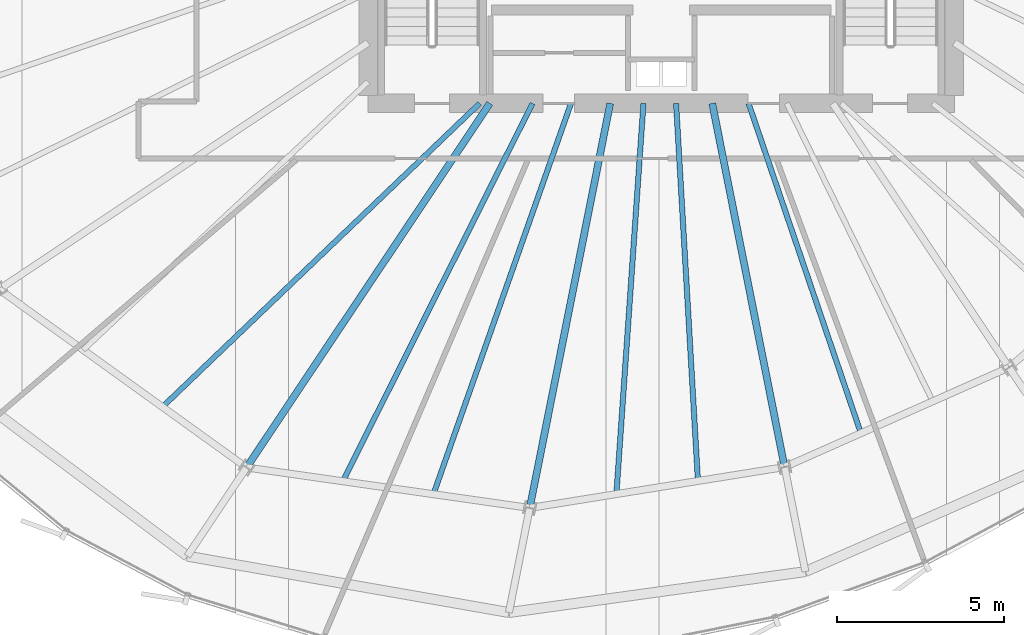
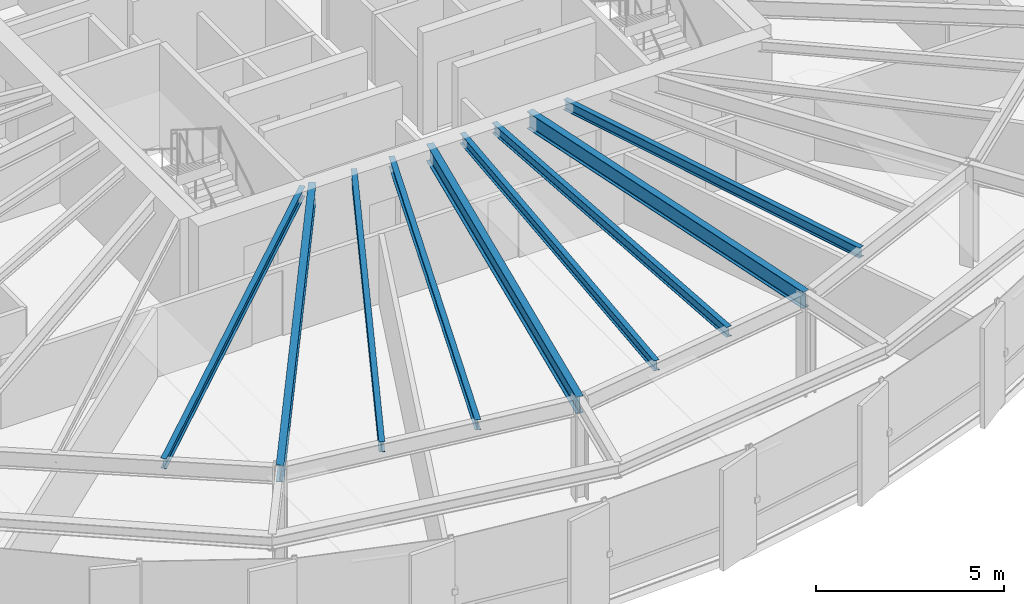
# One storey, part 8 of 36: 9 beams.
"""IFC4 building model written with IfcOpenShell, lengths in metres."""

from ifc_helpers import new_model, si_unit, direction, frame, origin, origin_2d, place, context, subcontext, project, spatial, i_section, extrude, source, transform, mapped, material, material_profile, profile_set, type_object, element, save


model = new_model("IFC4")

# Units and contexts
model_context = context("Model", 3, precision=1e-05, world=origin(), true_north=direction((0.0, 1.0)))
body_context = subcontext(model_context, "Body", "Model", "MODEL_VIEW")
ifc_project = project(units=[si_unit("LENGTHUNIT", "METRE"), si_unit("AREAUNIT", "SQUARE_METRE"), si_unit("VOLUMEUNIT", "CUBIC_METRE"), si_unit("PLANEANGLEUNIT", "RADIAN"), si_unit("MASSUNIT", "GRAM", prefix="KILO"), si_unit("THERMODYNAMICTEMPERATUREUNIT", "KELVIN")], contexts=[model_context])

# Site, building, storey
site_placement = place(None, origin())
site = spatial("IfcSite", under=ifc_project, at=site_placement, CompositionType="ELEMENT")
building_placement = place(site_placement, origin())
building = spatial("IfcBuilding", under=site, at=building_placement, Name="Kethvar Cultural Tower", CompositionType="ELEMENT")
storey_placement = place(building_placement, frame((0.0, 0.0, 164.300048828125)))
storey = spatial("IfcBuildingStorey", under=building, at=storey_placement, Name="L42", CompositionType="ELEMENT", Elevation=164.300048828125)

# Beams
ifc_material = material(Name="Steel S355J2", Category="steel")
ifc_material_profile_1 = material_profile(ifc_material, i_section(OverallWidth=0.2099609375, OverallDepth=0.550048828125, WebThickness=0.010986328125, FlangeThickness=0.01708984375, FilletRadius=0.02392578125, at=origin_2d()), Name="Steel S355J2 — IPE550")
ifc_profile_set_1 = profile_set([ifc_material_profile_1], Name="Steel S355J2 — IPE550")
beam_type_1 = type_object("IfcBeamType", Name="BM-IPE550", PredefinedType="BEAM", material=ifc_profile_set_1)
shared_shape_1 = source(origin(), body_context, "Body", "SweptSolid", [
    extrude(i_section(OverallWidth=0.2099609375, OverallDepth=0.550048828125, WebThickness=0.010986328125, FlangeThickness=0.01708984375, FilletRadius=0.02392578125, at=origin_2d()), origin(), (0.0, 0.0, 1.0), 13.147216796875),
])
beam_1_placement = place(storey_placement, frame((41.655029296875, 20.10009765625, 3.02294921875), z_axis=(-0.555565525446, -0.831472757783, 0.0), x_axis=(0.831472757783, -0.555565525446, 0.0)))
element("IfcBeam", 1, at=beam_1_placement, inside=storey, type_object=beam_type_1, Name="L42 Primary Radial Beam RB-11", PredefinedType="BEAM", context=body_context, shape_type="MappedRepresentation", body=[
    mapped(shared_shape_1, transform((0.0, 0.0, 0.0), scale=1.0)),
])
shared_shape_2 = source(origin(), body_context, "Body", "SweptSolid", [
    extrude(i_section(OverallWidth=0.2099609375, OverallDepth=0.550048828125, WebThickness=0.010986328125, FlangeThickness=0.01708984375, FilletRadius=0.02392578125, at=origin_2d()), origin(), (0.0, 0.0, 1.0), 12.384521484375),
])
beam_2_placement = place(storey_placement, frame((45.268310546875, 20.10009765625, 3.02294921875), z_axis=(-0.195084858678, -0.980786367113, 0.0), x_axis=(0.980786367113, -0.195084858678, 0.0)))
element("IfcBeam", 2, at=beam_2_placement, inside=storey, type_object=beam_type_1, Name="L42 Primary Radial Beam RB-12", PredefinedType="BEAM", context=body_context, shape_type="MappedRepresentation", body=[
    mapped(shared_shape_2, transform((0.0, 0.0, 0.0), scale=1.0)),
])
shared_shape_3 = source(origin(), body_context, "Body", "SweptSolid", [
    extrude(i_section(OverallWidth=0.2099609375, OverallDepth=0.550048828125, WebThickness=0.010986328125, FlangeThickness=0.01708984375, FilletRadius=0.02392578125, at=origin_2d()), origin(), (0.0, 0.0, 1.0), 11.131591796875),
])
beam_3_placement = place(storey_placement, frame((48.33154296875, 20.10009765625, 3.02294921875), z_axis=(0.195107998266, -0.980781764213, 0.0), x_axis=(0.980781764213, 0.195107998266, 0.0)))
element("IfcBeam", 3, at=beam_3_placement, inside=storey, type_object=beam_type_1, Name="L42 Primary Radial Beam RB-13", PredefinedType="BEAM", context=body_context, shape_type="MappedRepresentation", body=[
    mapped(shared_shape_3, transform((0.0, 0.0, 0.0), scale=1.0)),
])
ifc_material_profile_2 = material_profile(ifc_material, i_section(OverallWidth=0.159912109375, OverallDepth=0.330078125, WebThickness=0.007568359375, FlangeThickness=0.011474609375, FilletRadius=0.01806640625, at=origin_2d()), Name="Steel S355J2 — IPE330")
ifc_profile_set_2 = profile_set([ifc_material_profile_2], Name="Steel S355J2 — IPE330")
beam_type_2 = type_object("IfcBeamType", Name="BM-J330", PredefinedType="JOIST", material=ifc_profile_set_2)
shared_shape_4 = source(origin(), body_context, "Body", "SweptSolid", [
    extrude(i_section(OverallWidth=0.159912109375, OverallDepth=0.330078125, WebThickness=0.007568359375, FlangeThickness=0.011474609375, FilletRadius=0.01806640625, at=origin_2d()), origin(), (0.0, 0.0, 1.0), 13.1826171875),
])
beam_4_placement = place(storey_placement, frame((41.35009765625, 20.10009765625, 3.133056640625), z_axis=(-0.722573880181, -0.691293705801, 0.0), x_axis=(0.691293705801, -0.722573880181, 0.0)))
element("IfcBeam", 4, at=beam_4_placement, inside=storey, type_object=beam_type_2, Name="L42 Composite Floor Joist J-10B", PredefinedType="JOIST", context=body_context, shape_type="MappedRepresentation", body=[
    mapped(shared_shape_4, transform((0.0, 0.0, 0.0), scale=1.0)),
])
shared_shape_5 = source(origin(), body_context, "Body", "SweptSolid", [
    extrude(i_section(OverallWidth=0.159912109375, OverallDepth=0.330078125, WebThickness=0.007568359375, FlangeThickness=0.011474609375, FilletRadius=0.01806640625, at=origin_2d()), origin(), (0.0, 0.0, 1.0), 12.693603515625),
])
beam_5_placement = place(storey_placement, frame((42.935302734375, 20.10009765625, 3.133056640625), z_axis=(-0.448582495233, -0.893741430712, 0.0), x_axis=(0.893741430712, -0.448582495233, 0.0)))
element("IfcBeam", 5, at=beam_5_placement, inside=storey, type_object=beam_type_2, Name="L42 Composite Floor Joist J-11A", PredefinedType="JOIST", context=body_context, shape_type="MappedRepresentation", body=[
    mapped(shared_shape_5, transform((0.0, 0.0, 0.0), scale=1.0)),
])
shared_shape_6 = source(origin(), body_context, "Body", "SweptSolid", [
    extrude(i_section(OverallWidth=0.159912109375, OverallDepth=0.330078125, WebThickness=0.007568359375, FlangeThickness=0.011474609375, FilletRadius=0.01806640625, at=origin_2d()), origin(), (0.0, 0.0, 1.0), 12.4384765625),
])
beam_6_placement = place(storey_placement, frame((44.090576171875, 20.10009765625, 3.133056640625), z_axis=(-0.331923676994, -0.943306245421, 0.0), x_axis=(0.943306245421, -0.331923676994, 0.0)))
element("IfcBeam", 6, at=beam_6_placement, inside=storey, type_object=beam_type_2, Name="L42 Composite Floor Joist J-11B", PredefinedType="JOIST", context=body_context, shape_type="MappedRepresentation", body=[
    mapped(shared_shape_6, transform((0.0, 0.0, 0.0), scale=1.0)),
])
shared_shape_7 = source(origin(), body_context, "Body", "SweptSolid", [
    extrude(i_section(OverallWidth=0.159912109375, OverallDepth=0.330078125, WebThickness=0.007568359375, FlangeThickness=0.011474609375, FilletRadius=0.01806640625, at=origin_2d()), origin(), (0.0, 0.0, 1.0), 11.7568359375),
])
beam_7_placement = place(storey_placement, frame((46.266357421875, 20.10009765625, 3.133056640625), z_axis=(-0.069129203877, -0.997607715072, 0.0), x_axis=(0.997607715072, -0.069129203877, 0.0)))
element("IfcBeam", 7, at=beam_7_placement, inside=storey, type_object=beam_type_2, Name="L42 Composite Floor Joist J-12A", PredefinedType="JOIST", context=body_context, shape_type="MappedRepresentation", body=[
    mapped(shared_shape_7, transform((0.0, 0.0, 0.0), scale=1.0)),
])
shared_shape_8 = source(origin(), body_context, "Body", "SweptSolid", [
    extrude(i_section(OverallWidth=0.159912109375, OverallDepth=0.330078125, WebThickness=0.007568359375, FlangeThickness=0.011474609375, FilletRadius=0.01806640625, at=origin_2d()), origin(), (0.0, 0.0, 1.0), 11.354736328125),
])
beam_8_placement = place(storey_placement, frame((47.245849609375, 20.10009765625, 3.133056640625), z_axis=(0.057795585741, -0.998328438075, 0.0), x_axis=(0.998328438075, 0.057795585741, 0.0)))
element("IfcBeam", 8, at=beam_8_placement, inside=storey, type_object=beam_type_2, Name="L42 Composite Floor Joist J-12B", PredefinedType="JOIST", context=body_context, shape_type="MappedRepresentation", body=[
    mapped(shared_shape_8, transform((0.0, 0.0, 0.0), scale=1.0)),
])
shared_shape_9 = source(origin(), body_context, "Body", "SweptSolid", [
    extrude(i_section(OverallWidth=0.159912109375, OverallDepth=0.330078125, WebThickness=0.007568359375, FlangeThickness=0.011474609375, FilletRadius=0.01806640625, at=origin_2d()), origin(), (0.0, 0.0, 1.0), 10.45947265625),
])
beam_9_placement = place(storey_placement, frame((49.42236328125, 20.10009765625, 3.133056640625), z_axis=(0.322390188368, -0.94660687006, 0.0), x_axis=(0.94660687006, 0.322390188368, 0.0)))
element("IfcBeam", 9, at=beam_9_placement, inside=storey, type_object=beam_type_2, Name="L42 Composite Floor Joist J-13A", PredefinedType="JOIST", context=body_context, shape_type="MappedRepresentation", body=[
    mapped(shared_shape_9, transform((0.0, 0.0, 0.0), scale=1.0)),
])

save(model, "model.ifc")
